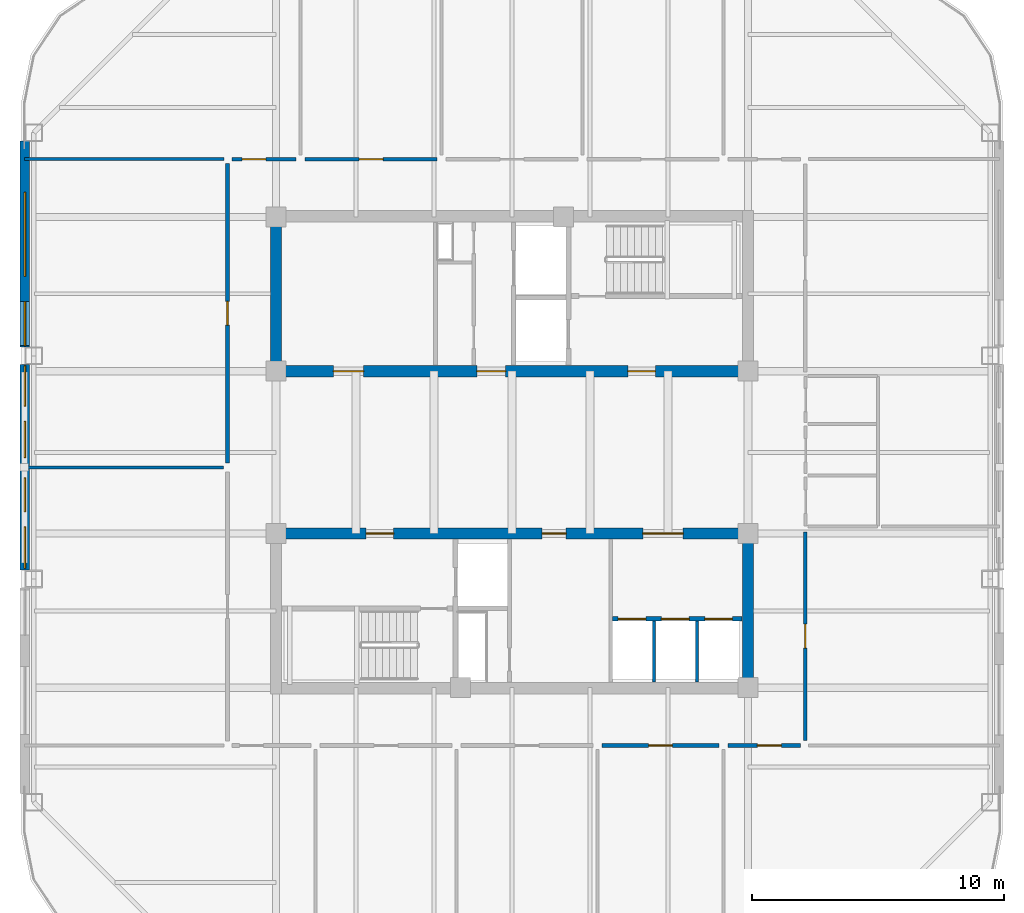
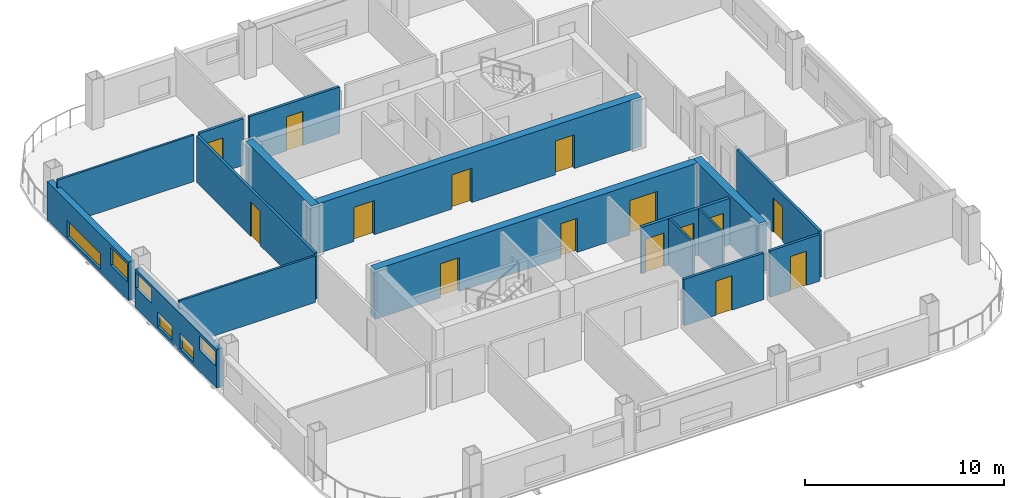
# One storey, part 3 of 8: 17 walls, 15 doors, 6 windows, 21 openings.
"""IFC4 building model written with IfcOpenShell, lengths in metres."""

from ifc_helpers import new_model, si_unit, direction, frame, frame_2d, origin, place, context, subcontext, project, spatial, rectangle, extrude, material, layer, layer_set, type_object, element, fill, save


model = new_model("IFC4")

# Units and contexts
model_context = context("Model", 3, precision=1e-05, world=origin(), true_north=direction((0.0, 1.0)))
body_context = subcontext(model_context, "Body", "Model", "MODEL_VIEW")
ifc_project = project(units=[si_unit("LENGTHUNIT", "METRE"), si_unit("AREAUNIT", "SQUARE_METRE"), si_unit("VOLUMEUNIT", "CUBIC_METRE"), si_unit("PLANEANGLEUNIT", "RADIAN"), si_unit("MASSUNIT", "GRAM", prefix="KILO")], contexts=[model_context])

# Site, building, storey
site_placement = place(None, origin())
site = spatial("IfcSite", under=ifc_project, at=site_placement, CompositionType="ELEMENT")
building_placement = place(site_placement, origin())
building = spatial("IfcBuilding", under=site, at=building_placement, Name="Qhalaya Broadcast Tower", CompositionType="ELEMENT")
storey_placement = place(building_placement, frame((0.0, 0.0, 214.75)))
storey = spatial("IfcBuildingStorey", under=building, at=storey_placement, Name="L63", CompositionType="ELEMENT", Elevation=214.75)

# Wall, opening, door
ifc_material_1 = material(Name="Gypsum Acoustic Partition")
ifc_layer_1 = layer(ifc_material_1, 0.14990234375, Name="Gypsum Acoustic Partition")
ifc_layer_set_1 = layer_set([ifc_layer_1], Name="Gypsum Acoustic Partition")
wall_type_1 = type_object("IfcWallType", Name="Corridor & Tenancy Acoustic Partition 150", PredefinedType="PARTITIONING", material=ifc_layer_set_1)
wall_1_placement = place(storey_placement, frame((-11.1201171875, 12.25, 0.0), z_axis=(0.0, 0.0, 1.0), x_axis=(1.0, 0.0, 0.0)))
wall_1 = element("IfcWall", 1, at=wall_1_placement, inside=storey, type_object=wall_type_1, Name="L63 Partition Wall W-COR-01", PredefinedType="PARTITIONING", context=body_context, shape_type="SweptSolid", body=[
    extrude(rectangle(XDim=2.5400390625, YDim=0.14990234375, at=frame_2d((1.27001953125, 0.0))), origin(), (0.0, 0.0, 1.0), 2.860107421875),
])
opening_1_placement = place(wall_1_placement, frame((0.39501953125, 0.0, 0.0)))
opening_1 = element("IfcOpeningElement", 2, at=opening_1_placement, cuts=wall_1, Name="Opening D10", PredefinedType="OPENING", context=body_context, shape_type="SweptSolid", body=[
    extrude(rectangle(XDim=0.949951171875, YDim=2.10009765625, at=frame_2d((0.47509765625, 1.050048828125))), frame((0.0, 0.0869140625, 0.0), z_axis=(0.0, -1.0, 0.0), x_axis=(1.0, 0.0, 0.0)), (0.0, 0.0, 1.0), 0.173828125),
])
ifc_material_2 = material(Name="Timber Veneer Acoustic Door", Category="wood")
door_type_1 = type_object("IfcDoorType", Name="Cellular Office & Edit Booth Door D10", OperationType="NOTDEFINED", PredefinedType="DOOR", material=ifc_material_2)
door_1_placement = place(opening_1_placement, origin())
door_1 = element("IfcDoor", 3, at=door_1_placement, inside=storey, type_object=door_type_1, Name="L63 Door D-RM01", OperationType="SINGLE_SWING_LEFT", OverallHeight=2.10009765625, OverallWidth=0.949951171875, PredefinedType="DOOR", context=body_context, shape_type="SweptSolid", body=[
    extrude(rectangle(XDim=0.949951171875, YDim=2.10009765625, at=frame_2d((0.47509765625, 1.050048828125))), frame((0.0, 0.02490234375, 0.0), z_axis=(0.0, -1.0, 0.0), x_axis=(1.0, 0.0, 0.0)), (0.0, 0.0, 1.0), 0.050048828125),
])
fill(opening_1, door_1)

wall_2_placement = place(storey_placement, frame((-8.219970703125, 12.25, 0.0), z_axis=(0.0, 0.0, 1.0), x_axis=(1.0, 0.0, 0.0)))
wall_2 = element("IfcWall", 4, at=wall_2_placement, inside=storey, type_object=wall_type_1, Name="L63 Partition Wall W-COR-02", PredefinedType="PARTITIONING", context=body_context, shape_type="SweptSolid", body=[
    extrude(rectangle(XDim=5.239990234375, YDim=0.14990234375, at=frame_2d((2.6201171875, 0.0))), origin(), (0.0, 0.0, 1.0), 2.860107421875),
])
opening_2_placement = place(wall_2_placement, frame((2.14501953125, 0.0, 0.0)))
opening_2 = element("IfcOpeningElement", 5, at=opening_2_placement, cuts=wall_2, Name="Opening D10", PredefinedType="OPENING", context=body_context, shape_type="SweptSolid", body=[
    extrude(rectangle(XDim=0.949951171875, YDim=2.10009765625, at=frame_2d((0.47509765625, 1.050048828125))), frame((0.0, 0.0869140625, 0.0), z_axis=(0.0, -1.0, 0.0), x_axis=(1.0, 0.0, 0.0)), (0.0, 0.0, 1.0), 0.173828125),
])
door_2_placement = place(opening_2_placement, origin())
door_2 = element("IfcDoor", 6, at=door_2_placement, inside=storey, type_object=door_type_1, Name="L63 Door D-RM02", OperationType="SINGLE_SWING_RIGHT", OverallHeight=2.10009765625, OverallWidth=0.949951171875, PredefinedType="DOOR", context=body_context, shape_type="SweptSolid", body=[
    extrude(rectangle(XDim=0.949951171875, YDim=2.10009765625, at=frame_2d((0.47509765625, 1.050048828125))), frame((0.0, 0.02490234375, 0.0), z_axis=(0.0, -1.0, 0.0), x_axis=(1.0, 0.0, 0.0)), (0.0, 0.0, 1.0), 0.050048828125),
])
fill(opening_2, door_2)

wall_3_placement = place(storey_placement, frame((3.580078125, -11.050048828125, 0.0), z_axis=(0.0, 0.0, 1.0), x_axis=(1.0, 0.0, 0.0)))
wall_3 = element("IfcWall", 7, at=wall_3_placement, inside=storey, type_object=wall_type_1, Name="L63 Partition Wall W-COR-09", PredefinedType="PARTITIONING", context=body_context, shape_type="SweptSolid", body=[
    extrude(rectangle(XDim=4.639892578125, YDim=0.14990234375, at=frame_2d((2.31982421875, 0.0))), origin(), (0.0, 0.0, 1.0), 2.860107421875),
])
opening_3_placement = place(wall_3_placement, frame((1.844970703125, 0.0, 0.0)))
opening_3 = element("IfcOpeningElement", 8, at=opening_3_placement, cuts=wall_3, Name="Opening D10", PredefinedType="OPENING", context=body_context, shape_type="SweptSolid", body=[
    extrude(rectangle(XDim=0.949951171875, YDim=2.10009765625, at=frame_2d((0.47509765625, 1.050048828125))), frame((0.0, 0.0869140625, 0.0), z_axis=(0.0, -1.0, 0.0), x_axis=(1.0, 0.0, 0.0)), (0.0, 0.0, 1.0), 0.173828125),
])
door_3_placement = place(opening_3_placement, origin())
door_3 = element("IfcDoor", 9, at=door_3_placement, inside=storey, type_object=door_type_1, Name="L63 Door D-RM09", OperationType="SINGLE_SWING_LEFT", OverallHeight=2.10009765625, OverallWidth=0.949951171875, PredefinedType="DOOR", context=body_context, shape_type="SweptSolid", body=[
    extrude(rectangle(XDim=0.949951171875, YDim=2.10009765625, at=frame_2d((0.47509765625, 1.050048828125))), frame((0.0, 0.02490234375, 0.0), z_axis=(0.0, -1.0, 0.0), x_axis=(1.0, 0.0, 0.0)), (0.0, 0.0, 1.0), 0.050048828125),
])
fill(opening_3, door_3)

wall_4_placement = place(storey_placement, frame((8.580078125, -11.050048828125, 0.0), z_axis=(0.0, 0.0, 1.0), x_axis=(1.0, 0.0, 0.0)))
wall_4 = element("IfcWall", 10, at=wall_4_placement, inside=storey, type_object=wall_type_1, Name="L63 Partition Wall W-COR-10", PredefinedType="PARTITIONING", context=body_context, shape_type="SweptSolid", body=[
    extrude(rectangle(XDim=2.889892578125, YDim=0.14990234375, at=frame_2d((1.44482421875, 0.0))), origin(), (0.0, 0.0, 1.0), 2.860107421875),
])
opening_4_placement = place(wall_4_placement, frame((1.169921875, 0.0, 0.0)))
opening_4 = element("IfcOpeningElement", 11, at=opening_4_placement, cuts=wall_4, Name="Opening D10", PredefinedType="OPENING", context=body_context, shape_type="SweptSolid", body=[
    extrude(rectangle(XDim=0.949951171875, YDim=2.10009765625, at=frame_2d((0.47509765625, 1.050048828125))), frame((0.0, 0.0869140625, 0.0), z_axis=(0.0, -1.0, 0.0), x_axis=(1.0, 0.0, 0.0)), (0.0, 0.0, 1.0), 0.173828125),
])
door_4_placement = place(opening_4_placement, origin())
door_4 = element("IfcDoor", 12, at=door_4_placement, inside=storey, type_object=door_type_1, Name="L63 Door D-RM10", OperationType="SINGLE_SWING_RIGHT", OverallHeight=2.10009765625, OverallWidth=0.949951171875, PredefinedType="DOOR", context=body_context, shape_type="SweptSolid", body=[
    extrude(rectangle(XDim=0.949951171875, YDim=2.10009765625, at=frame_2d((0.47509765625, 1.050048828125))), frame((0.0, 0.02490234375, 0.0), z_axis=(0.0, -1.0, 0.0), x_axis=(1.0, 0.0, 0.0)), (0.0, 0.0, 1.0), 0.050048828125),
])
fill(opening_4, door_4)

wall_5_placement = place(storey_placement, frame((-11.300048828125, 0.179931640625, 0.0), z_axis=(0.0, 0.0, 1.0), x_axis=(0.0, 1.0, 0.0)))
wall_5 = element("IfcWall", 13, at=wall_5_placement, inside=storey, type_object=wall_type_1, Name="L63 Partition Wall W-COR-12", PredefinedType="PARTITIONING", context=body_context, shape_type="SweptSolid", body=[
    extrude(rectangle(XDim=11.89013671875, YDim=0.14990234375, at=frame_2d((5.945068359375, 0.0))), origin(), (0.0, 0.0, 1.0), 2.860107421875),
])
opening_5_placement = place(wall_5_placement, frame((5.469970703125, 0.0, 0.0)))
opening_5 = element("IfcOpeningElement", 14, at=opening_5_placement, cuts=wall_5, Name="Opening D10", PredefinedType="OPENING", context=body_context, shape_type="SweptSolid", body=[
    extrude(rectangle(XDim=0.949951171875, YDim=2.10009765625, at=frame_2d((0.47509765625, 1.050048828125))), frame((0.0, 0.0869140625, 0.0), z_axis=(0.0, -1.0, 0.0), x_axis=(1.0, 0.0, 0.0)), (0.0, 0.0, 1.0), 0.173828125),
])
door_5_placement = place(opening_5_placement, origin())
door_5 = element("IfcDoor", 15, at=door_5_placement, inside=storey, type_object=door_type_1, Name="L63 Door D-RM12", OperationType="SINGLE_SWING_RIGHT", OverallHeight=2.10009765625, OverallWidth=0.949951171875, PredefinedType="DOOR", context=body_context, shape_type="SweptSolid", body=[
    extrude(rectangle(XDim=0.949951171875, YDim=2.10009765625, at=frame_2d((0.47509765625, 1.050048828125))), frame((0.0, 0.02490234375, 0.0), z_axis=(0.0, -1.0, 0.0), x_axis=(1.0, 0.0, 0.0)), (0.0, 0.0, 1.0), 0.050048828125),
])
fill(opening_5, door_5)

wall_6_placement = place(storey_placement, frame((11.64990234375, -10.85009765625, 0.0), z_axis=(0.0, 0.0, 1.0), x_axis=(0.0, 1.0, 0.0)))
wall_6 = element("IfcWall", 16, at=wall_6_placement, inside=storey, type_object=wall_type_1, Name="L63 Partition Wall W-COR-13", PredefinedType="PARTITIONING", context=body_context, shape_type="SweptSolid", body=[
    extrude(rectangle(XDim=8.2900390625, YDim=0.14990234375, at=frame_2d((4.14501953125, 0.0))), origin(), (0.0, 0.0, 1.0), 2.860107421875),
])
opening_6_placement = place(wall_6_placement, frame((3.669921875, 0.0, 0.0)))
opening_6 = element("IfcOpeningElement", 17, at=opening_6_placement, cuts=wall_6, Name="Opening D10", PredefinedType="OPENING", context=body_context, shape_type="SweptSolid", body=[
    extrude(rectangle(XDim=0.949951171875, YDim=2.10009765625, at=frame_2d((0.47509765625, 1.050048828125))), frame((0.0, 0.0869140625, 0.0), z_axis=(0.0, -1.0, 0.0), x_axis=(1.0, 0.0, 0.0)), (0.0, 0.0, 1.0), 0.173828125),
])
door_6_placement = place(opening_6_placement, origin())
door_6 = element("IfcDoor", 18, at=door_6_placement, inside=storey, type_object=door_type_1, Name="L63 Door D-RM13", OperationType="SINGLE_SWING_LEFT", OverallHeight=2.10009765625, OverallWidth=0.949951171875, PredefinedType="DOOR", context=body_context, shape_type="SweptSolid", body=[
    extrude(rectangle(XDim=0.949951171875, YDim=2.10009765625, at=frame_2d((0.47509765625, 1.050048828125))), frame((0.0, 0.02490234375, 0.0), z_axis=(0.0, -1.0, 0.0), x_axis=(1.0, 0.0, 0.0)), (0.0, 0.0, 1.0), 0.050048828125),
])
fill(opening_6, door_6)

# Wall, openings, windows
ifc_material_3 = material(Name="Precast Concrete C40/50", Category="concrete")
ifc_layer_2 = layer(ifc_material_3, 0.360107421875, Name="Precast Concrete C40/50")
ifc_layer_set_2 = layer_set([ifc_layer_2], Name="Precast Concrete C40/50")
wall_type_2 = type_object("IfcWallType", Name="Insulated Precast Terracotta Exterior Wall 360", PredefinedType="SOLIDWALL", material=ifc_layer_set_2)
wall_7_placement = place(storey_placement, frame((-19.360107421875, -4.083251953125, 0.0), z_axis=(0.0, 0.0, 1.0), x_axis=(0.0, 1.0, 0.0)))
wall_7 = element("IfcWall", 19, at=wall_7_placement, inside=storey, type_object=wall_type_2, Name="L63 Exoskeleton Diagrid Infill Wall W2", PredefinedType="SOLIDWALL", context=body_context, shape_type="SweptSolid", body=[
    extrude(rectangle(XDim=8.16650390625, YDim=0.360107421875, at=frame_2d((4.083251953125, 0.0))), origin(), (0.0, 0.0, 1.0), 2.3740234375),
])
opening_7_placement = place(wall_7_placement, frame((0.071044921875, 0.0, 1.300048828125)))
opening_7 = element("IfcOpeningElement", 20, at=opening_7_placement, cuts=wall_7, Name="Opening W13", PredefinedType="OPENING", context=body_context, shape_type="SweptSolid", body=[
    extrude(rectangle(XDim=1.64990234375, YDim=0.89990234375, at=frame_2d((0.824951171875, 0.449951171875))), frame((0.0, 0.192138671875, 0.0), z_axis=(0.0, -1.0, 0.0), x_axis=(1.0, 0.0, 0.0)), (0.0, 0.0, 1.0), 0.384033203125),
])
opening_8_placement = place(wall_7_placement, frame((2.321044921875, 0.0, 0.199951171875)))
opening_8 = element("IfcOpeningElement", 21, at=opening_8_placement, cuts=wall_7, Name="Opening W13", PredefinedType="OPENING", context=body_context, shape_type="SweptSolid", body=[
    extrude(rectangle(XDim=1.35009765625, YDim=0.949951171875, at=frame_2d((0.675048828125, 0.47509765625))), frame((0.0, 0.192138671875, 0.0), z_axis=(0.0, -1.0, 0.0), x_axis=(1.0, 0.0, 0.0)), (0.0, 0.0, 1.0), 0.384033203125),
])
opening_9_placement = place(wall_7_placement, frame((4.470947265625, 0.0, 0.199951171875)))
opening_9 = element("IfcOpeningElement", 22, at=opening_9_placement, cuts=wall_7, Name="Opening W13", PredefinedType="OPENING", context=body_context, shape_type="SweptSolid", body=[
    extrude(rectangle(XDim=1.449951171875, YDim=0.89990234375, at=frame_2d((0.72509765625, 0.449951171875))), frame((0.0, 0.192138671875, 0.0), z_axis=(0.0, -1.0, 0.0), x_axis=(1.0, 0.0, 0.0)), (0.0, 0.0, 1.0), 0.384033203125),
])
opening_10_placement = place(wall_7_placement, frame((6.52099609375, 0.0, 1.25)))
opening_10 = element("IfcOpeningElement", 23, at=opening_10_placement, cuts=wall_7, Name="Opening W13", PredefinedType="OPENING", context=body_context, shape_type="SweptSolid", body=[
    extrude(rectangle(XDim=1.60009765625, YDim=0.949951171875, at=frame_2d((0.800048828125, 0.47509765625))), frame((0.0, 0.192138671875, 0.0), z_axis=(0.0, -1.0, 0.0), x_axis=(1.0, 0.0, 0.0)), (0.0, 0.0, 1.0), 0.384033203125),
])
ifc_material_4 = material(Name="Solar-Control Low-E Triple Glazing", Category="glass")
window_type = type_object("IfcWindowType", Name="Upper-Block Diagrid Infill Window W13", PartitioningType="SINGLE_PANEL", PredefinedType="WINDOW", material=ifc_material_4)
window_1_placement = place(opening_7_placement, origin())
window_1 = element("IfcWindow", 24, at=window_1_placement, inside=storey, type_object=window_type, Name="L63 Diagrid Infill Window W13-W3", OverallHeight=0.89990234375, OverallWidth=1.64990234375, PartitioningType="SINGLE_PANEL", PredefinedType="WINDOW", context=body_context, shape_type="SweptSolid", body=[
    extrude(rectangle(XDim=1.64990234375, YDim=0.89990234375, at=frame_2d((0.824951171875, 0.449951171875))), frame((0.0, 0.030029296875, 0.0), z_axis=(0.0, -1.0, 0.0), x_axis=(1.0, 0.0, 0.0)), (0.0, 0.0, 1.0), 0.06005859375),
])
fill(opening_7, window_1)
window_2_placement = place(opening_8_placement, origin())
window_2 = element("IfcWindow", 25, at=window_2_placement, inside=storey, type_object=window_type, Name="L63 Diagrid Infill Window W13-W4", OverallHeight=0.949951171875, OverallWidth=1.35009765625, PartitioningType="SINGLE_PANEL", PredefinedType="WINDOW", context=body_context, shape_type="SweptSolid", body=[
    extrude(rectangle(XDim=1.35009765625, YDim=0.949951171875, at=frame_2d((0.675048828125, 0.47509765625))), frame((0.0, 0.030029296875, 0.0), z_axis=(0.0, -1.0, 0.0), x_axis=(1.0, 0.0, 0.0)), (0.0, 0.0, 1.0), 0.06005859375),
])
fill(opening_8, window_2)
window_3_placement = place(opening_9_placement, origin())
window_3 = element("IfcWindow", 26, at=window_3_placement, inside=storey, type_object=window_type, Name="L63 Diagrid Infill Window W13-W5", OverallHeight=0.89990234375, OverallWidth=1.449951171875, PartitioningType="SINGLE_PANEL", PredefinedType="WINDOW", context=body_context, shape_type="SweptSolid", body=[
    extrude(rectangle(XDim=1.449951171875, YDim=0.89990234375, at=frame_2d((0.72509765625, 0.449951171875))), frame((0.0, 0.030029296875, 0.0), z_axis=(0.0, -1.0, 0.0), x_axis=(1.0, 0.0, 0.0)), (0.0, 0.0, 1.0), 0.06005859375),
])
fill(opening_9, window_3)
window_4_placement = place(opening_10_placement, origin())
window_4 = element("IfcWindow", 27, at=window_4_placement, inside=storey, type_object=window_type, Name="L63 Diagrid Infill Window W13-W6", OverallHeight=0.949951171875, OverallWidth=1.60009765625, PartitioningType="SINGLE_PANEL", PredefinedType="WINDOW", context=body_context, shape_type="SweptSolid", body=[
    extrude(rectangle(XDim=1.60009765625, YDim=0.949951171875, at=frame_2d((0.800048828125, 0.47509765625))), frame((0.0, 0.030029296875, 0.0), z_axis=(0.0, -1.0, 0.0), x_axis=(1.0, 0.0, 0.0)), (0.0, 0.0, 1.0), 0.06005859375),
])
fill(opening_10, window_4)

wall_8_placement = place(storey_placement, frame((-19.360107421875, 4.783203125, 0.0), z_axis=(0.0, 0.0, 1.0), x_axis=(0.0, 1.0, 0.0)))
wall_8 = element("IfcWall", 28, at=wall_8_placement, inside=storey, type_object=wall_type_2, Name="L63 Exoskeleton Diagrid Infill Wall W3", PredefinedType="SOLIDWALL", context=body_context, shape_type="SweptSolid", body=[
    extrude(rectangle(XDim=8.1787109375, YDim=0.360107421875, at=frame_2d((4.08935546875, 0.0))), origin(), (0.0, 0.0, 1.0), 2.3740234375),
])
opening_11_placement = place(wall_8_placement, frame((0.054931640625, 0.0, 1.10009765625)))
opening_11 = element("IfcOpeningElement", 29, at=opening_11_placement, cuts=wall_8, Name="Opening W13", PredefinedType="OPENING", context=body_context, shape_type="SweptSolid", body=[
    extrude(rectangle(XDim=1.75, YDim=1.10009765625, at=frame_2d((0.875, 0.550048828125))), frame((0.0, 0.192138671875, 0.0), z_axis=(0.0, -1.0, 0.0), x_axis=(1.0, 0.0, 0.0)), (0.0, 0.0, 1.0), 0.384033203125),
])
opening_12_placement = place(wall_8_placement, frame((2.804931640625, 0.0, 0.199951171875)))
opening_12 = element("IfcOpeningElement", 30, at=opening_12_placement, cuts=wall_8, Name="Opening W13", PredefinedType="OPENING", context=body_context, shape_type="SweptSolid", body=[
    extrude(rectangle(XDim=3.35009765625, YDim=1.0, at=frame_2d((1.675048828125, 0.5))), frame((0.0, 0.192138671875, 0.0), z_axis=(0.0, -1.0, 0.0), x_axis=(1.0, 0.0, 0.0)), (0.0, 0.0, 1.0), 0.384033203125),
])
window_5_placement = place(opening_11_placement, origin())
window_5 = element("IfcWindow", 31, at=window_5_placement, inside=storey, type_object=window_type, Name="L63 Diagrid Infill Window W13-W7", OverallHeight=1.10009765625, OverallWidth=1.75, PartitioningType="SINGLE_PANEL", PredefinedType="WINDOW", context=body_context, shape_type="SweptSolid", body=[
    extrude(rectangle(XDim=1.75, YDim=1.10009765625, at=frame_2d((0.875, 0.550048828125))), frame((0.0, 0.030029296875, 0.0), z_axis=(0.0, -1.0, 0.0), x_axis=(1.0, 0.0, 0.0)), (0.0, 0.0, 1.0), 0.06005859375),
])
fill(opening_11, window_5)
window_6_placement = place(opening_12_placement, origin())
window_6 = element("IfcWindow", 32, at=window_6_placement, inside=storey, type_object=window_type, Name="L63 Diagrid Infill Window W13-W8", OverallHeight=1.0, OverallWidth=3.35009765625, PartitioningType="SINGLE_PANEL", PredefinedType="WINDOW", context=body_context, shape_type="SweptSolid", body=[
    extrude(rectangle(XDim=3.35009765625, YDim=1.0, at=frame_2d((1.675048828125, 0.5))), frame((0.0, 0.030029296875, 0.0), z_axis=(0.0, -1.0, 0.0), x_axis=(1.0, 0.0, 0.0)), (0.0, 0.0, 1.0), 0.06005859375),
])
fill(opening_12, window_6)

# Walls
ifc_layer_3 = layer(ifc_material_1, 0.1201171875, Name="Gypsum Acoustic Partition")
ifc_layer_set_3 = layer_set([ifc_layer_3], Name="Gypsum Acoustic Partition")
wall_type_3 = type_object("IfcWallType", Name="Office, Booth & Sanitary Partition 120", PredefinedType="PARTITIONING", material=ifc_layer_set_3)
for number, where, z_axis, x_axis, name in (
    (33, (5.639892578125, -8.530029296875, 0.0), (0.0, 0.0, 1.0), (0.0, 1.0, 0.0), "L63 Partition Wall SCW-HD6"),
    (34, (7.360107421875, -8.530029296875, 0.0), (0.0, 0.0, 1.0), (0.0, 1.0, 0.0), "L63 Partition Wall SCW-HD7"),
):
    element("IfcWall", number, at=place(storey_placement, frame(where, z_axis=z_axis, x_axis=x_axis)), inside=storey, type_object=wall_type_3, Name=name, PredefinedType="PARTITIONING", context=body_context, shape_type="SweptSolid", body=[
        extrude(rectangle(XDim=2.429931640625, YDim=0.1201171875, at=frame_2d((1.21484375, 0.0))), origin(), (0.0, 0.0, 1.0), 2.860107421875),
    ])
wall_9_placement = place(storey_placement, frame((-19.3798828125, 12.25, 0.0), z_axis=(0.0, 0.0, 1.0), x_axis=(1.0, 0.0, 0.0)))
element("IfcWall", 35, at=wall_9_placement, inside=storey, type_object=wall_type_3, Name="L63 Partition Wall W-BNDW1", PredefinedType="PARTITIONING", context=body_context, shape_type="SweptSolid", body=[
    extrude(rectangle(XDim=7.93994140625, YDim=0.1201171875, at=frame_2d((3.969970703125, 0.0))), origin(), (0.0, 0.0, 1.0), 2.860107421875),
])
wall_10_placement = place(storey_placement, frame((-19.3798828125, 0.0, 0.0), z_axis=(0.0, 0.0, 1.0), x_axis=(1.0, 0.0, 0.0)))
element("IfcWall", 36, at=wall_10_placement, inside=storey, type_object=wall_type_3, Name="L63 Partition Wall W-DIVW1", PredefinedType="PARTITIONING", context=body_context, shape_type="SweptSolid", body=[
    extrude(rectangle(XDim=7.919921875, YDim=0.1201171875, at=frame_2d((3.9599609375, 0.0))), origin(), (0.0, 0.0, 1.0), 2.860107421875),
])

# Wall, openings, doors
ifc_layer_4 = layer(ifc_material_1, 0.175048828125, Name="Gypsum Acoustic Partition")
ifc_layer_set_4 = layer_set([ifc_layer_4], Name="Gypsum Acoustic Partition")
wall_type_4 = type_object("IfcWallType", Name="Shaft & Riser Fire Partition 175", PredefinedType="PARTITIONING", material=ifc_layer_set_4)
wall_11_placement = place(storey_placement, frame((4.0, -6.02001953125, 0.0), z_axis=(0.0, 0.0, 1.0), x_axis=(1.0, 0.0, 0.0)))
wall_11 = element("IfcWall", 37, at=wall_11_placement, inside=storey, type_object=wall_type_4, Name="L63 Partition Wall SCW-SLB", PredefinedType="PARTITIONING", context=body_context, shape_type="SweptSolid", body=[
    extrude(rectangle(XDim=5.1298828125, YDim=0.175048828125, at=frame_2d((2.56494140625, 0.0))), origin(), (0.0, 0.0, 1.0), 2.860107421875),
])
opening_13_placement = place(wall_11_placement, frame((0.219970703125, 0.0, 0.0)))
opening_13 = element("IfcOpeningElement", 38, at=opening_13_placement, cuts=wall_11, Name="Opening LD1", PredefinedType="OPENING", context=body_context, shape_type="SweptSolid", body=[
    extrude(rectangle(XDim=1.10009765625, YDim=2.06005859375, at=frame_2d((0.550048828125, 1.030029296875))), frame((0.0, 0.099609375, 0.0), z_axis=(0.0, -1.0, 0.0), x_axis=(1.0, 0.0, 0.0)), (0.0, 0.0, 1.0), 0.198974609375),
])
opening_14_placement = place(wall_11_placement, frame((1.93994140625, 0.0, 0.0)))
opening_14 = element("IfcOpeningElement", 39, at=opening_14_placement, cuts=wall_11, Name="Opening LD1", PredefinedType="OPENING", context=body_context, shape_type="SweptSolid", body=[
    extrude(rectangle(XDim=1.10009765625, YDim=2.06005859375, at=frame_2d((0.550048828125, 1.030029296875))), frame((0.0, 0.099609375, 0.0), z_axis=(0.0, -1.0, 0.0), x_axis=(1.0, 0.0, 0.0)), (0.0, 0.0, 1.0), 0.198974609375),
])
opening_15_placement = place(wall_11_placement, frame((3.659912109375, 0.0, 0.0)))
opening_15 = element("IfcOpeningElement", 40, at=opening_15_placement, cuts=wall_11, Name="Opening LD1", PredefinedType="OPENING", context=body_context, shape_type="SweptSolid", body=[
    extrude(rectangle(XDim=1.10009765625, YDim=2.06005859375, at=frame_2d((0.550048828125, 1.030029296875))), frame((0.0, 0.099609375, 0.0), z_axis=(0.0, -1.0, 0.0), x_axis=(1.0, 0.0, 0.0)), (0.0, 0.0, 1.0), 0.198974609375),
])
ifc_material_5 = material(Name="Brushed Stainless Steel Lift Door", Category="steel")
door_type_2 = type_object("IfcDoorType", Name="Passenger Lift Sliding Landing Door LD1", OperationType="DOUBLE_DOOR_SLIDING", PredefinedType="DOOR", material=ifc_material_5)
door_7_placement = place(opening_13_placement, origin())
door_7 = element("IfcDoor", 41, at=door_7_placement, inside=storey, type_object=door_type_2, Name="L63 Door LD-P6", OperationType="DOUBLE_DOOR_SLIDING", OverallHeight=2.06005859375, OverallWidth=1.10009765625, PredefinedType="DOOR", context=body_context, shape_type="SweptSolid", body=[
    extrude(rectangle(XDim=1.10009765625, YDim=2.06005859375, at=frame_2d((0.550048828125, 1.030029296875))), frame((0.0, 0.02490234375, 0.0), z_axis=(0.0, -1.0, 0.0), x_axis=(1.0, 0.0, 0.0)), (0.0, 0.0, 1.0), 0.050048828125),
])
fill(opening_13, door_7)
door_8_placement = place(opening_14_placement, origin())
door_8 = element("IfcDoor", 42, at=door_8_placement, inside=storey, type_object=door_type_2, Name="L63 Door LD-P7", OperationType="DOUBLE_DOOR_SLIDING", OverallHeight=2.06005859375, OverallWidth=1.10009765625, PredefinedType="DOOR", context=body_context, shape_type="SweptSolid", body=[
    extrude(rectangle(XDim=1.10009765625, YDim=2.06005859375, at=frame_2d((0.550048828125, 1.030029296875))), frame((0.0, 0.02490234375, 0.0), z_axis=(0.0, -1.0, 0.0), x_axis=(1.0, 0.0, 0.0)), (0.0, 0.0, 1.0), 0.050048828125),
])
fill(opening_14, door_8)
door_9_placement = place(opening_15_placement, origin())
door_9 = element("IfcDoor", 43, at=door_9_placement, inside=storey, type_object=door_type_2, Name="L63 Door LD-P8", OperationType="DOUBLE_DOOR_SLIDING", OverallHeight=2.06005859375, OverallWidth=1.10009765625, PredefinedType="DOOR", context=body_context, shape_type="SweptSolid", body=[
    extrude(rectangle(XDim=1.10009765625, YDim=2.06005859375, at=frame_2d((0.550048828125, 1.030029296875))), frame((0.0, 0.02490234375, 0.0), z_axis=(0.0, -1.0, 0.0), x_axis=(1.0, 0.0, 0.0)), (0.0, 0.0, 1.0), 0.050048828125),
])
fill(opening_15, door_9)

ifc_material_6 = material(Name="Concrete C50/60", Category="concrete")
ifc_layer_5 = layer(ifc_material_6, 0.449951171875, Name="Concrete C50/60")
ifc_layer_set_5 = layer_set([ifc_layer_5], Name="Concrete C50/60")
wall_type_5 = type_object("IfcWallType", Name="Upper Split-Core Shear Wall 450", PredefinedType="SHEAR", material=ifc_layer_set_5)
wall_12_placement = place(storey_placement, frame((-9.60009765625, 3.824951171875, 0.0), z_axis=(0.0, 0.0, 1.0), x_axis=(1.0, 0.0, 0.0)))
wall_12 = element("IfcWall", 44, at=wall_12_placement, inside=storey, type_object=wall_type_5, Name="L63 Split-Core Shear Wall CW-NS", PredefinedType="SHEAR", context=body_context, shape_type="SweptSolid", body=[
    extrude(rectangle(XDim=19.2001953125, YDim=0.449951171875, at=frame_2d((9.60009765625, 0.0))), origin(), (0.0, 0.0, 1.0), 3.050048828125),
])
opening_16_placement = place(wall_12_placement, frame((14.199951171875, 0.0, 0.0)))
opening_16 = element("IfcOpeningElement", 45, at=opening_16_placement, cuts=wall_12, Name="Opening D04", PredefinedType="OPENING", context=body_context, shape_type="SweptSolid", body=[
    extrude(rectangle(XDim=1.10009765625, YDim=2.080078125, at=frame_2d((0.550048828125, 1.0400390625))), frame((0.0, 0.237060546875, 0.0), z_axis=(0.0, -1.0, 0.0), x_axis=(1.0, 0.0, 0.0)), (0.0, 0.0, 1.0), 0.473876953125),
])
opening_17_placement = place(wall_12_placement, frame((8.199951171875, 0.0, 0.0)))
opening_17 = element("IfcOpeningElement", 46, at=opening_17_placement, cuts=wall_12, Name="Opening D05", PredefinedType="OPENING", context=body_context, shape_type="SweptSolid", body=[
    extrude(rectangle(XDim=1.14990234375, YDim=2.10009765625, at=frame_2d((0.574951171875, 1.050048828125))), frame((0.0, 0.237060546875, 0.0), z_axis=(0.0, -1.0, 0.0), x_axis=(1.0, 0.0, 0.0)), (0.0, 0.0, 1.0), 0.473876953125),
])
opening_18_placement = place(wall_12_placement, frame((2.5, 0.0, 0.0)))
opening_18 = element("IfcOpeningElement", 47, at=opening_18_placement, cuts=wall_12, Name="Opening D11", PredefinedType="OPENING", context=body_context, shape_type="SweptSolid", body=[
    extrude(rectangle(XDim=1.199951171875, YDim=2.10009765625, at=frame_2d((0.60009765625, 1.050048828125))), frame((0.0, 0.237060546875, 0.0), z_axis=(0.0, -1.0, 0.0), x_axis=(1.0, 0.0, 0.0)), (0.0, 0.0, 1.0), 0.473876953125),
])
ifc_material_7 = material(Name="Anodised Aluminium Glazed Door", Category="aluminium")
door_type_3 = type_object("IfcDoorType", Name="Conference, Boardroom & Studio Control Door D11", OperationType="NOTDEFINED", PredefinedType="DOOR", material=ifc_material_7)
door_10_placement = place(opening_18_placement, origin())
door_10 = element("IfcDoor", 48, at=door_10_placement, inside=storey, type_object=door_type_3, Name="L63 Door D-NREC1", OperationType="SINGLE_SWING_LEFT", OverallHeight=2.10009765625, OverallWidth=1.199951171875, PredefinedType="DOOR", context=body_context, shape_type="SweptSolid", body=[
    extrude(rectangle(XDim=1.199951171875, YDim=2.10009765625, at=frame_2d((0.60009765625, 1.050048828125))), frame((0.0, 0.02490234375, 0.0), z_axis=(0.0, -1.0, 0.0), x_axis=(1.0, 0.0, 0.0)), (0.0, 0.0, 1.0), 0.050048828125),
])
fill(opening_18, door_10)
ifc_material_8 = material(Name="Fire-Rated Steel Door", Category="steel")
door_type_4 = type_object("IfcDoorType", Name="Firefighting Lobby Rated Door D04", OperationType="NOTDEFINED", PredefinedType="DOOR", material=ifc_material_8)
door_11_placement = place(opening_16_placement, origin())
door_11 = element("IfcDoor", 49, at=door_11_placement, inside=storey, type_object=door_type_4, Name="L63 Door D-NFF", OperationType="SINGLE_SWING_RIGHT", OverallHeight=2.080078125, OverallWidth=1.10009765625, PredefinedType="DOOR", context=body_context, shape_type="SweptSolid", body=[
    extrude(rectangle(XDim=1.10009765625, YDim=2.080078125, at=frame_2d((0.550048828125, 1.0400390625))), frame((0.0, 0.02490234375, 0.0), z_axis=(0.0, -1.0, 0.0), x_axis=(1.0, 0.0, 0.0)), (0.0, 0.0, 1.0), 0.050048828125),
])
fill(opening_16, door_11)
door_type_5 = type_object("IfcDoorType", Name="Refuge & Plant Room Fire Door D05", OperationType="NOTDEFINED", PredefinedType="DOOR", material=ifc_material_8)
door_12_placement = place(opening_17_placement, origin())
door_12 = element("IfcDoor", 50, at=door_12_placement, inside=storey, type_object=door_type_5, Name="L63 Door D-NSVL", OperationType="SINGLE_SWING_LEFT", OverallHeight=2.10009765625, OverallWidth=1.14990234375, PredefinedType="DOOR", context=body_context, shape_type="SweptSolid", body=[
    extrude(rectangle(XDim=1.14990234375, YDim=2.10009765625, at=frame_2d((0.574951171875, 1.050048828125))), frame((0.0, 0.02490234375, 0.0), z_axis=(0.0, -1.0, 0.0), x_axis=(1.0, 0.0, 0.0)), (0.0, 0.0, 1.0), 0.050048828125),
])
fill(opening_17, door_12)

# Wall
wall_13_placement = place(storey_placement, frame((-9.375, 3.60009765625, 0.0), z_axis=(0.0, 0.0, 1.0), x_axis=(0.0, 1.0, 0.0)))
element("IfcWall", 51, at=wall_13_placement, inside=storey, type_object=wall_type_5, Name="L63 Split-Core Shear Wall CW-NW", PredefinedType="SHEAR", context=body_context, shape_type="SweptSolid", body=[
    extrude(rectangle(XDim=6.599853515625, YDim=0.449951171875, at=frame_2d((3.2998046875, 0.0))), origin(), (0.0, 0.0, 1.0), 3.050048828125),
])

# Wall, openings, doors
wall_14_placement = place(storey_placement, frame((-9.60009765625, -2.625, 0.0), z_axis=(0.0, 0.0, 1.0), x_axis=(1.0, 0.0, 0.0)))
wall_14 = element("IfcWall", 52, at=wall_14_placement, inside=storey, type_object=wall_type_5, Name="L63 Split-Core Shear Wall CW-SN", PredefinedType="SHEAR", context=body_context, shape_type="SweptSolid", body=[
    extrude(rectangle(XDim=19.2001953125, YDim=0.449951171875, at=frame_2d((9.60009765625, 0.0))), origin(), (0.0, 0.0, 1.0), 3.050048828125),
])
opening_19_placement = place(wall_14_placement, frame((3.800048828125, 0.0, 0.0)))
opening_19 = element("IfcOpeningElement", 53, at=opening_19_placement, cuts=wall_14, Name="Opening D04", PredefinedType="OPENING", context=body_context, shape_type="SweptSolid", body=[
    extrude(rectangle(XDim=1.10009765625, YDim=2.080078125, at=frame_2d((0.550048828125, 1.0400390625))), frame((0.0, 0.237060546875, 0.0), z_axis=(0.0, -1.0, 0.0), x_axis=(1.0, 0.0, 0.0)), (0.0, 0.0, 1.0), 0.473876953125),
])
opening_20_placement = place(wall_14_placement, frame((10.800048828125, 0.0, 0.0)))
opening_20 = element("IfcOpeningElement", 54, at=opening_20_placement, cuts=wall_14, Name="Opening D10", PredefinedType="OPENING", context=body_context, shape_type="SweptSolid", body=[
    extrude(rectangle(XDim=0.949951171875, YDim=2.10009765625, at=frame_2d((0.47509765625, 1.050048828125))), frame((0.0, 0.237060546875, 0.0), z_axis=(0.0, -1.0, 0.0), x_axis=(1.0, 0.0, 0.0)), (0.0, 0.0, 1.0), 0.473876953125),
])
opening_21_placement = place(wall_14_placement, frame((14.800048828125, 0.0, 0.0)))
opening_21 = element("IfcOpeningElement", 55, at=opening_21_placement, cuts=wall_14, Name="Opening D07", PredefinedType="OPENING", context=body_context, shape_type="SweptSolid", body=[
    extrude(rectangle(XDim=1.60009765625, YDim=2.1201171875, at=frame_2d((0.800048828125, 1.06005859375))), frame((0.0, 0.237060546875, 0.0), z_axis=(0.0, -1.0, 0.0), x_axis=(1.0, 0.0, 0.0)), (0.0, 0.0, 1.0), 0.473876953125),
])
door_13_placement = place(opening_20_placement, origin())
door_13 = element("IfcDoor", 56, at=door_13_placement, inside=storey, type_object=door_type_1, Name="L63 Door D-SREC", OperationType="SINGLE_SWING_LEFT", OverallHeight=2.10009765625, OverallWidth=0.949951171875, PredefinedType="DOOR", context=body_context, shape_type="SweptSolid", body=[
    extrude(rectangle(XDim=0.949951171875, YDim=2.10009765625, at=frame_2d((0.47509765625, 1.050048828125))), frame((0.0, 0.02490234375, 0.0), z_axis=(0.0, -1.0, 0.0), x_axis=(1.0, 0.0, 0.0)), (0.0, 0.0, 1.0), 0.050048828125),
])
fill(opening_20, door_13)
door_14_placement = place(opening_19_placement, origin())
door_14 = element("IfcDoor", 57, at=door_14_placement, inside=storey, type_object=door_type_4, Name="L63 Door D-SFF", OperationType="SINGLE_SWING_LEFT", OverallHeight=2.080078125, OverallWidth=1.10009765625, PredefinedType="DOOR", context=body_context, shape_type="SweptSolid", body=[
    extrude(rectangle(XDim=1.10009765625, YDim=2.080078125, at=frame_2d((0.550048828125, 1.0400390625))), frame((0.0, 0.02490234375, 0.0), z_axis=(0.0, -1.0, 0.0), x_axis=(1.0, 0.0, 0.0)), (0.0, 0.0, 1.0), 0.050048828125),
])
fill(opening_19, door_14)
door_type_6 = type_object("IfcDoorType", Name="Passenger Lift Lobby Double Glazed Door D07", OperationType="DOUBLE_DOOR_SINGLE_SWING", PredefinedType="DOOR", material=ifc_material_7)
door_15_placement = place(opening_21_placement, origin())
door_15 = element("IfcDoor", 58, at=door_15_placement, inside=storey, type_object=door_type_6, Name="L63 Door D-SPLL", OperationType="DOUBLE_DOOR_SINGLE_SWING", OverallHeight=2.1201171875, OverallWidth=1.60009765625, PredefinedType="DOOR", context=body_context, shape_type="SweptSolid", body=[
    extrude(rectangle(XDim=1.60009765625, YDim=2.1201171875, at=frame_2d((0.800048828125, 1.06005859375))), frame((0.0, 0.02490234375, 0.0), z_axis=(0.0, -1.0, 0.0), x_axis=(1.0, 0.0, 0.0)), (0.0, 0.0, 1.0), 0.050048828125),
])
fill(opening_21, door_15)

# Wall
wall_15_placement = place(storey_placement, frame((9.375, -9.0, 0.0), z_axis=(0.0, 0.0, 1.0), x_axis=(0.0, 1.0, 0.0)))
element("IfcWall", 59, at=wall_15_placement, inside=storey, type_object=wall_type_5, Name="L63 Split-Core Shear Wall CW-SE", PredefinedType="SHEAR", context=body_context, shape_type="SweptSolid", body=[
    extrude(rectangle(XDim=6.60009765625, YDim=0.449951171875, at=frame_2d((3.300048828125, 0.0))), origin(), (0.0, 0.0, 1.0), 3.050048828125),
])

save(model, "model.ifc")
